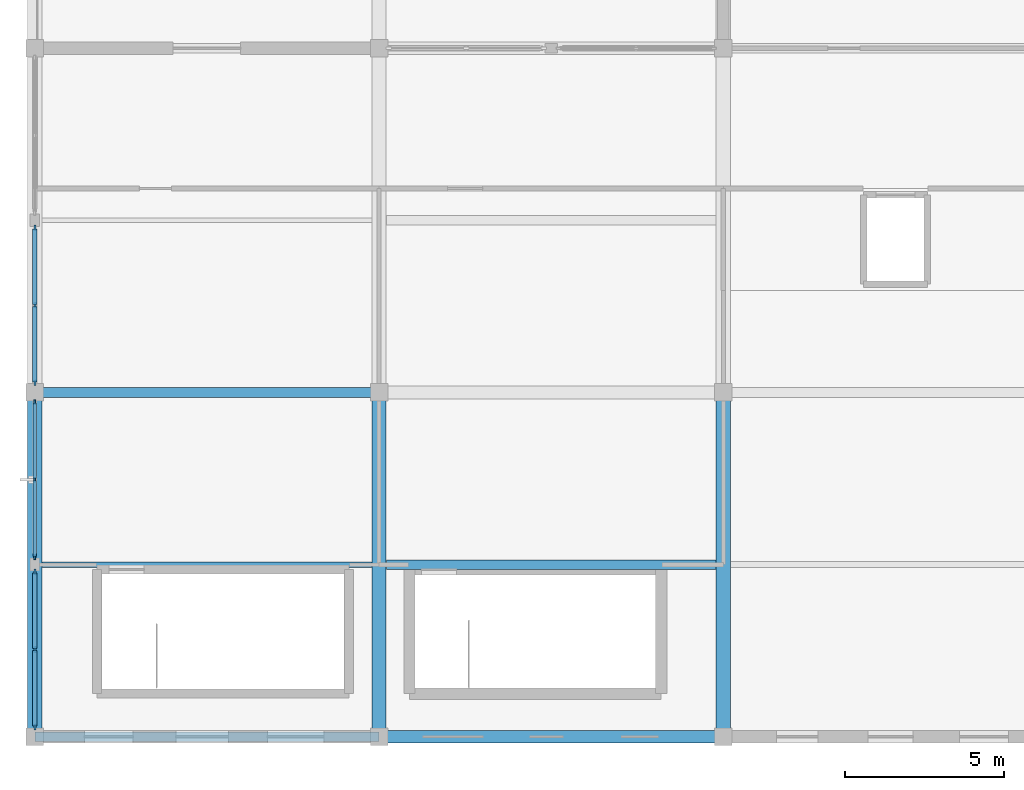
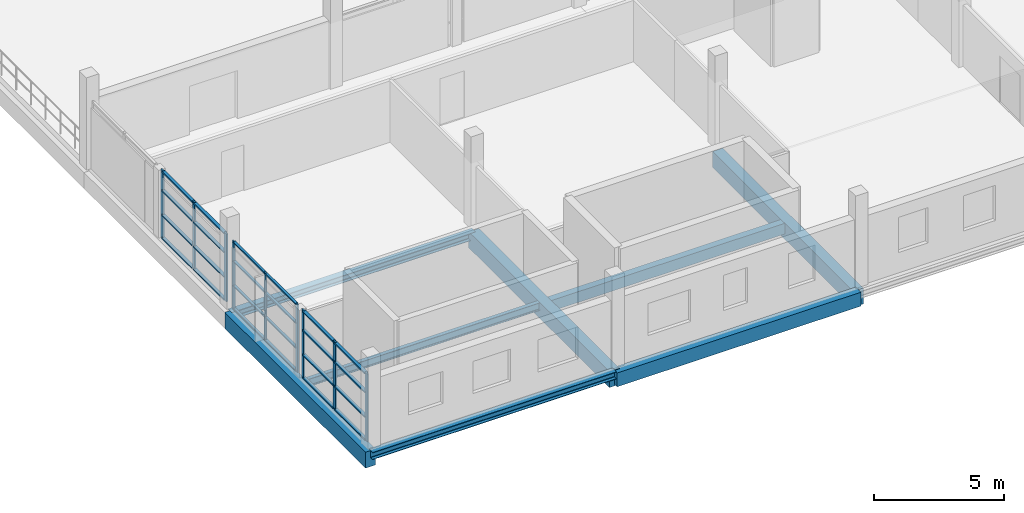
# One storey, part 2 of 15: 33 members, 8 beams, 3 elements without a shape of their own.
"""IFC4 building model written with IfcOpenShell, lengths in metres."""

from ifc_helpers import new_model, si_unit, direction, frame, origin, origin_2d, place, context, subcontext, project, spatial, rectangle, i_section, extrude, material, material_profile, profile_set, type_object, element, aggregate, save


model = new_model("IFC4")

# Units and contexts
model_context = context("Model", 3, precision=1e-05, world=origin(), true_north=direction((0.0, 1.0)))
body_context = subcontext(model_context, "Body", "Model", "MODEL_VIEW")
ifc_project = project(units=[si_unit("LENGTHUNIT", "METRE"), si_unit("AREAUNIT", "SQUARE_METRE"), si_unit("VOLUMEUNIT", "CUBIC_METRE"), si_unit("PLANEANGLEUNIT", "RADIAN"), si_unit("MASSUNIT", "GRAM", prefix="KILO")], contexts=[model_context])

# Site, building, storey
site_placement = place(None, origin())
site = spatial("IfcSite", under=ifc_project, at=site_placement, CompositionType="ELEMENT")
building_placement = place(site_placement, origin())
building = spatial("IfcBuilding", under=site, at=building_placement, Name="Zwinboog Wholesale Market", CompositionType="ELEMENT")
storey_placement = place(building_placement, frame((0.0, 0.0, 14.760009765625)))
storey = spatial("IfcBuildingStorey", under=building, at=storey_placement, Name="L03", CompositionType="ELEMENT", Elevation=14.760009765625)

# Beams
ifc_material_1 = material(Name="Precast concrete C45/55", Category="concrete")
ifc_material_profile_1 = material_profile(ifc_material_1, rectangle(XDim=0.449951171875, YDim=0.75, at=origin_2d()), Name="PC 450x750")
ifc_profile_set_1 = profile_set([ifc_material_profile_1], Name="Precast concrete C45/55")
beam_type_1 = type_object("IfcBeamType", Name="BT-04", PredefinedType="BEAM", material=ifc_profile_set_1)
for number, where, z_axis, x_axis, name in (
    (1, (129.60009765625, 0.0, -0.6669921875), (0.0, 1.0, 0.0), (-1.0, 0.0, 0.0), "BG-04 (BMG-L03-1296-0000-1025)"),
    (2, (140.39990234375, 0.0, -0.6669921875), (0.0, 1.0, 0.0), (-1.0, 0.0, 0.0), "BG-04 (BMG-L03-1404-0000-1027)"),
    (3, (151.199951171875, 0.0, -0.693115234375), (0.0, 1.0, 0.0), (-1.0, 0.0, 0.0), "BG-04 (BMG-L03-1512-0000-1029)"),
):
    element("IfcBeam", number, at=place(storey_placement, frame(where, z_axis=z_axis, x_axis=x_axis)), inside=storey, type_object=beam_type_1, Name=name, PredefinedType="BEAM", context=body_context, shape_type="SweptSolid", body=[
        extrude(rectangle(XDim=0.449951171875, YDim=0.75, at=origin_2d()), origin(), (0.0, 0.0, 1.0), 10.800048828125),
    ])
ifc_material_profile_2 = material_profile(ifc_material_1, rectangle(XDim=0.39990234375, YDim=0.64990234375, at=origin_2d()), Name="PC 400x650")
ifc_profile_set_2 = profile_set([ifc_material_profile_2], Name="Precast concrete C45/55")
beam_type_2 = type_object("IfcBeamType", Name="BT-05", PredefinedType="BEAM", material=ifc_profile_set_2)
beam_1_placement = place(storey_placement, frame((140.39990234375, 0.0, -0.64306640625), z_axis=(1.0, 0.0, 0.0), x_axis=(0.0, 1.0, 0.0)))
element("IfcBeam", 4, at=beam_1_placement, inside=storey, type_object=beam_type_2, Name="BG-05 (BMG-L03-1404-0000-1010)", PredefinedType="BEAM", context=body_context, shape_type="SweptSolid", body=[
    extrude(rectangle(XDim=0.39990234375, YDim=0.64990234375, at=origin_2d()), origin(), (0.0, 0.0, 1.0), 10.800048828125),
])
ifc_material_profile_3 = material_profile(ifc_material_1, rectangle(XDim=0.300048828125, YDim=0.5, at=origin_2d()), Name="PC 300x500")
ifc_profile_set_3 = profile_set([ifc_material_profile_3], Name="Precast concrete C45/55")
beam_type_3 = type_object("IfcBeamType", Name="BT-10", PredefinedType="JOIST", material=ifc_profile_set_3)
beam_2_placement = place(storey_placement, frame((140.625, 5.39990234375, -0.568115234375), z_axis=(1.0, 0.0, 0.0), x_axis=(0.0, 1.0, 0.0)))
element("IfcBeam", 5, at=beam_2_placement, inside=storey, type_object=beam_type_3, Name="BJ-01 (BMG-L03-1406-0054-1043)", PredefinedType="JOIST", context=body_context, shape_type="SweptSolid", body=[
    extrude(rectangle(XDim=0.300048828125, YDim=0.5, at=origin_2d()), origin(), (0.0, 0.0, 1.0), 10.35009765625),
])
ifc_material_2 = material(Name="Steel S355", Category="steel")
ifc_material_profile_4 = material_profile(ifc_material_2, i_section(OverallWidth=0.300048828125, OverallDepth=0.340087890625, WebThickness=0.011962890625, FlangeThickness=0.021484375, FilletRadius=0.027099609375, at=origin_2d()), Name="HEB 340")
ifc_profile_set_4 = profile_set([ifc_material_profile_4], Name="Steel S355")
beam_type_4 = type_object("IfcBeamType", Name="BT-16", PredefinedType="BEAM", material=ifc_profile_set_4)
for number, where, z_axis, x_axis, name in (
    (6, (129.60009765625, 0.0, -0.4619140625), (1.0, 0.0, 0.0), (0.0, 1.0, 0.0), "SB-03 (BMG-L03-1296-0000-1009)"),
    (7, (129.60009765625, 10.800048828125, -0.4619140625), (1.0, 0.0, 0.0), (0.0, 1.0, 0.0), "SB-03 (BMG-L03-1296-0108-1013)"),
):
    element("IfcBeam", number, at=place(storey_placement, frame(where, z_axis=z_axis, x_axis=x_axis)), inside=storey, type_object=beam_type_4, Name=name, PredefinedType="BEAM", context=body_context, shape_type="SweptSolid", body=[
        extrude(i_section(OverallWidth=0.300048828125, OverallDepth=0.340087890625, WebThickness=0.011962890625, FlangeThickness=0.021484375, FilletRadius=0.027099609375, at=origin_2d()), origin(), (0.0, 0.0, 1.0), 10.7998046875),
    ])
ifc_material_profile_5 = material_profile(ifc_material_2, i_section(OverallWidth=0.169921875, OverallDepth=0.360107421875, WebThickness=0.008056640625, FlangeThickness=0.0126953125, FilletRadius=0.01806640625, at=origin_2d()), Name="IPE 360")
ifc_profile_set_5 = profile_set([ifc_material_profile_5], Name="Steel S355")
beam_type_5 = type_object("IfcBeamType", Name="BT-20", PredefinedType="JOIST", material=ifc_profile_set_5)
beam_3_placement = place(storey_placement, frame((129.824951171875, 5.39990234375, -0.471923828125), z_axis=(1.0, 0.0, 0.0), x_axis=(0.0, 1.0, 0.0)))
element("IfcBeam", 8, at=beam_3_placement, inside=storey, type_object=beam_type_5, Name="SJ-03 (BMG-L03-1298-0054-1041)", PredefinedType="JOIST", context=body_context, shape_type="SweptSolid", body=[
    extrude(i_section(OverallWidth=0.169921875, OverallDepth=0.360107421875, WebThickness=0.008056640625, FlangeThickness=0.0126953125, FilletRadius=0.01806640625, at=origin_2d()), origin(), (0.0, 0.0, 1.0), 10.35009765625),
])

# Curtain wall, members
ifc_material_3 = material(Name="Aluminium thermally broken curtain wall", Category="aluminium")
curtain_wall_type_1 = type_object("IfcCurtainWallType", Name="CWT-CAFE-22", PredefinedType="USERDEFINED", material=ifc_material_3)
curtain_wall_1_placement = place(storey_placement, origin())
curtain_wall_1 = element("IfcCurtainWall", 9, at=curtain_wall_1_placement, inside=storey, type_object=curtain_wall_type_1, Name="CW-05 (CW-L03-167)", ObjectType="STOREFRONT_GLAZING", PredefinedType="USERDEFINED")
ifc_material_4 = material(Name="Aluminium EN AW-6060", Category="aluminium")
ifc_material_profile_6 = material_profile(ifc_material_4, rectangle(XDim=0.06494140625, YDim=0.179931640625, at=origin_2d()), Name="AL 65x180")
ifc_profile_set_6 = profile_set([ifc_material_profile_6], Name="Aluminium EN AW-6060")
member_type_1 = type_object("IfcMemberType", Name="CWM-65x180", PredefinedType="MULLION", material=ifc_profile_set_6)
member_1_placement = place(storey_placement, frame((129.60009765625, 0.302490234375, 0.0), z_axis=(0.0, 0.0, 1.0), x_axis=(-1.0, 0.0, 0.0)))
member_1 = element("IfcMember", 10, at=member_1_placement, type_object=member_type_1, Name="CW-05 mullion 1", PredefinedType="MULLION", context=body_context, shape_type="SweptSolid", body=[
    extrude(rectangle(XDim=0.06494140625, YDim=0.179931640625, at=origin_2d()), origin(), (0.0, 0.0, 1.0), 3.169921875),
])
member_2_placement = place(storey_placement, frame((129.60009765625, 2.735107421875, 0.0), z_axis=(0.0, 0.0, 1.0), x_axis=(-1.0, 0.0, 0.0)))
member_2 = element("IfcMember", 11, at=member_2_placement, type_object=member_type_1, Name="CW-05 mullion 2", PredefinedType="MULLION", context=body_context, shape_type="SweptSolid", body=[
    extrude(rectangle(XDim=0.06494140625, YDim=0.179931640625, at=origin_2d()), origin(), (0.0, 0.0, 1.0), 3.169921875),
])
member_3_placement = place(storey_placement, frame((129.60009765625, 5.16748046875, 0.0), z_axis=(0.0, 0.0, 1.0), x_axis=(-1.0, 0.0, 0.0)))
member_3 = element("IfcMember", 12, at=member_3_placement, type_object=member_type_1, Name="CW-05 mullion 3", PredefinedType="MULLION", context=body_context, shape_type="SweptSolid", body=[
    extrude(rectangle(XDim=0.06494140625, YDim=0.179931640625, at=origin_2d()), origin(), (0.0, 0.0, 1.0), 3.169921875),
])

curtain_wall_type_2 = type_object("IfcCurtainWallType", Name="CWT-STALL-18", PredefinedType="USERDEFINED", material=ifc_material_3)
curtain_wall_2_placement = place(storey_placement, origin())
curtain_wall_2 = element("IfcCurtainWall", 13, at=curtain_wall_2_placement, inside=storey, type_object=curtain_wall_type_2, Name="CW-01 (CW-L03-169)", ObjectType="STOREFRONT_GLAZING", PredefinedType="USERDEFINED")
member_4_placement = place(storey_placement, frame((129.60009765625, 11.1025390625, 0.0), z_axis=(0.0, 0.0, 1.0), x_axis=(-1.0, 0.0, 0.0)))
member_4 = element("IfcMember", 14, at=member_4_placement, type_object=member_type_1, Name="CW-01 mullion 1", PredefinedType="MULLION", context=body_context, shape_type="SweptSolid", body=[
    extrude(rectangle(XDim=0.06494140625, YDim=0.179931640625, at=origin_2d()), origin(), (0.0, 0.0, 1.0), 3.169921875),
])
member_5_placement = place(storey_placement, frame((129.60009765625, 13.534912109375, 0.0), z_axis=(0.0, 0.0, 1.0), x_axis=(-1.0, 0.0, 0.0)))
member_5 = element("IfcMember", 15, at=member_5_placement, type_object=member_type_1, Name="CW-01 mullion 2", PredefinedType="MULLION", context=body_context, shape_type="SweptSolid", body=[
    extrude(rectangle(XDim=0.06494140625, YDim=0.179931640625, at=origin_2d()), origin(), (0.0, 0.0, 1.0), 3.169921875),
])
member_6_placement = place(storey_placement, frame((129.60009765625, 15.967529296875, 0.0), z_axis=(0.0, 0.0, 1.0), x_axis=(-1.0, 0.0, 0.0)))
member_6 = element("IfcMember", 16, at=member_6_placement, type_object=member_type_1, Name="CW-01 mullion 3", PredefinedType="MULLION", context=body_context, shape_type="SweptSolid", body=[
    extrude(rectangle(XDim=0.06494140625, YDim=0.179931640625, at=origin_2d()), origin(), (0.0, 0.0, 1.0), 3.169921875),
])

curtain_wall_type_3 = type_object("IfcCurtainWallType", Name="CWT-OFF-15", PredefinedType="USERDEFINED", material=ifc_material_3)
curtain_wall_3_placement = place(storey_placement, origin())
curtain_wall_3 = element("IfcCurtainWall", 17, at=curtain_wall_3_placement, inside=storey, type_object=curtain_wall_type_3, Name="CW-06 (CW-L03-168)", ObjectType="UNITIZED_CURTAIN_WALL", PredefinedType="USERDEFINED")
ifc_material_profile_7 = material_profile(ifc_material_4, rectangle(XDim=0.06005859375, YDim=0.14990234375, at=origin_2d()), Name="AL 60x150")
ifc_profile_set_7 = profile_set([ifc_material_profile_7], Name="Aluminium EN AW-6060")
member_type_2 = type_object("IfcMemberType", Name="CWM-60x150", PredefinedType="MULLION", material=ifc_profile_set_7)
member_7_placement = place(storey_placement, frame((129.60009765625, 5.6298828125, 0.0), z_axis=(0.0, 0.0, 1.0), x_axis=(-1.0, 0.0, 0.0)))
member_7 = element("IfcMember", 18, at=member_7_placement, type_object=member_type_2, Name="CW-06 mullion 1", PredefinedType="MULLION", context=body_context, shape_type="SweptSolid", body=[
    extrude(rectangle(XDim=0.06005859375, YDim=0.14990234375, at=origin_2d()), origin(), (0.0, 0.0, 1.0), 3.169921875),
])
member_8_placement = place(storey_placement, frame((129.60009765625, 8.06494140625, 0.0), z_axis=(0.0, 0.0, 1.0), x_axis=(-1.0, 0.0, 0.0)))
member_8 = element("IfcMember", 19, at=member_8_placement, type_object=member_type_2, Name="CW-06 mullion 2", PredefinedType="MULLION", context=body_context, shape_type="SweptSolid", body=[
    extrude(rectangle(XDim=0.06005859375, YDim=0.14990234375, at=origin_2d()), origin(), (0.0, 0.0, 1.0), 3.169921875),
])
member_9_placement = place(storey_placement, frame((129.60009765625, 10.5, 0.0), z_axis=(0.0, 0.0, 1.0), x_axis=(-1.0, 0.0, 0.0)))
member_9 = element("IfcMember", 20, at=member_9_placement, type_object=member_type_2, Name="CW-06 mullion 3", PredefinedType="MULLION", context=body_context, shape_type="SweptSolid", body=[
    extrude(rectangle(XDim=0.06005859375, YDim=0.14990234375, at=origin_2d()), origin(), (0.0, 0.0, 1.0), 3.169921875),
])

# Member
ifc_material_profile_8 = material_profile(ifc_material_4, rectangle(XDim=0.139892578125, YDim=0.06494140625, at=origin_2d()), Name="AL 65x140")
ifc_profile_set_8 = profile_set([ifc_material_profile_8], Name="Aluminium EN AW-6060")
member_type_3 = type_object("IfcMemberType", Name="CWT-65x140", PredefinedType="USERDEFINED", material=ifc_profile_set_8)
member_10_placement = place(storey_placement, frame((129.60009765625, 0.3349609375, 0.032470703125), z_axis=(0.0, 1.0, 0.0), x_axis=(-1.0, 0.0, 0.0)))
member_10 = element("IfcMember", 21, at=member_10_placement, type_object=member_type_3, Name="CW-05 transom 1.1", ObjectType="TRANSOM", PredefinedType="USERDEFINED", context=body_context, shape_type="SweptSolid", body=[
    extrude(rectangle(XDim=0.139892578125, YDim=0.06494140625, at=origin_2d()), origin(), (0.0, 0.0, 1.0), 2.367431640625),
])

member_11_placement = place(storey_placement, frame((129.60009765625, 0.3349609375, 1.10009765625), z_axis=(0.0, 1.0, 0.0), x_axis=(-1.0, 0.0, 0.0)))
member_11 = element("IfcMember", 22, at=member_11_placement, type_object=member_type_3, Name="CW-05 transom 1.2", ObjectType="TRANSOM", PredefinedType="USERDEFINED", context=body_context, shape_type="SweptSolid", body=[
    extrude(rectangle(XDim=0.139892578125, YDim=0.06494140625, at=origin_2d()), origin(), (0.0, 0.0, 1.0), 2.367431640625),
])

member_12_placement = place(storey_placement, frame((129.60009765625, 0.3349609375, 2.25), z_axis=(0.0, 1.0, 0.0), x_axis=(-1.0, 0.0, 0.0)))
member_12 = element("IfcMember", 23, at=member_12_placement, type_object=member_type_3, Name="CW-05 transom 1.3", ObjectType="TRANSOM", PredefinedType="USERDEFINED", context=body_context, shape_type="SweptSolid", body=[
    extrude(rectangle(XDim=0.139892578125, YDim=0.06494140625, at=origin_2d()), origin(), (0.0, 0.0, 1.0), 2.367431640625),
])

member_13_placement = place(storey_placement, frame((129.60009765625, 0.3349609375, 3.137451171875), z_axis=(0.0, 1.0, 0.0), x_axis=(-1.0, 0.0, 0.0)))
member_13 = element("IfcMember", 24, at=member_13_placement, type_object=member_type_3, Name="CW-05 transom 1.4", ObjectType="TRANSOM", PredefinedType="USERDEFINED", context=body_context, shape_type="SweptSolid", body=[
    extrude(rectangle(XDim=0.139892578125, YDim=0.06494140625, at=origin_2d()), origin(), (0.0, 0.0, 1.0), 2.367431640625),
])

member_14_placement = place(storey_placement, frame((129.60009765625, 2.767578125, 0.032470703125), z_axis=(0.0, 1.0, 0.0), x_axis=(-1.0, 0.0, 0.0)))
member_14 = element("IfcMember", 25, at=member_14_placement, type_object=member_type_3, Name="CW-05 transom 2.1", ObjectType="TRANSOM", PredefinedType="USERDEFINED", context=body_context, shape_type="SweptSolid", body=[
    extrude(rectangle(XDim=0.139892578125, YDim=0.06494140625, at=origin_2d()), origin(), (0.0, 0.0, 1.0), 2.367431640625),
])

member_15_placement = place(storey_placement, frame((129.60009765625, 2.767578125, 1.10009765625), z_axis=(0.0, 1.0, 0.0), x_axis=(-1.0, 0.0, 0.0)))
member_15 = element("IfcMember", 26, at=member_15_placement, type_object=member_type_3, Name="CW-05 transom 2.2", ObjectType="TRANSOM", PredefinedType="USERDEFINED", context=body_context, shape_type="SweptSolid", body=[
    extrude(rectangle(XDim=0.139892578125, YDim=0.06494140625, at=origin_2d()), origin(), (0.0, 0.0, 1.0), 2.367431640625),
])

member_16_placement = place(storey_placement, frame((129.60009765625, 2.767578125, 2.25), z_axis=(0.0, 1.0, 0.0), x_axis=(-1.0, 0.0, 0.0)))
member_16 = element("IfcMember", 27, at=member_16_placement, type_object=member_type_3, Name="CW-05 transom 2.3", ObjectType="TRANSOM", PredefinedType="USERDEFINED", context=body_context, shape_type="SweptSolid", body=[
    extrude(rectangle(XDim=0.139892578125, YDim=0.06494140625, at=origin_2d()), origin(), (0.0, 0.0, 1.0), 2.367431640625),
])

member_17_placement = place(storey_placement, frame((129.60009765625, 2.767578125, 3.137451171875), z_axis=(0.0, 1.0, 0.0), x_axis=(-1.0, 0.0, 0.0)))
member_17 = element("IfcMember", 28, at=member_17_placement, type_object=member_type_3, Name="CW-05 transom 2.4", ObjectType="TRANSOM", PredefinedType="USERDEFINED", context=body_context, shape_type="SweptSolid", body=[
    extrude(rectangle(XDim=0.139892578125, YDim=0.06494140625, at=origin_2d()), origin(), (0.0, 0.0, 1.0), 2.367431640625),
])

aggregate(curtain_wall_1, [member_1, member_2, member_3, member_10, member_11, member_12, member_13, member_14, member_15, member_16, member_17])

member_18_placement = place(storey_placement, frame((129.60009765625, 11.135009765625, 0.032470703125), z_axis=(0.0, 1.0, 0.0), x_axis=(-1.0, 0.0, 0.0)))
member_18 = element("IfcMember", 29, at=member_18_placement, type_object=member_type_3, Name="CW-01 transom 1.1", ObjectType="TRANSOM", PredefinedType="USERDEFINED", context=body_context, shape_type="SweptSolid", body=[
    extrude(rectangle(XDim=0.139892578125, YDim=0.06494140625, at=origin_2d()), origin(), (0.0, 0.0, 1.0), 2.367431640625),
])

member_19_placement = place(storey_placement, frame((129.60009765625, 11.135009765625, 1.10009765625), z_axis=(0.0, 1.0, 0.0), x_axis=(-1.0, 0.0, 0.0)))
member_19 = element("IfcMember", 30, at=member_19_placement, type_object=member_type_3, Name="CW-01 transom 1.2", ObjectType="TRANSOM", PredefinedType="USERDEFINED", context=body_context, shape_type="SweptSolid", body=[
    extrude(rectangle(XDim=0.139892578125, YDim=0.06494140625, at=origin_2d()), origin(), (0.0, 0.0, 1.0), 2.367431640625),
])

member_20_placement = place(storey_placement, frame((129.60009765625, 11.135009765625, 2.25), z_axis=(0.0, 1.0, 0.0), x_axis=(-1.0, 0.0, 0.0)))
member_20 = element("IfcMember", 31, at=member_20_placement, type_object=member_type_3, Name="CW-01 transom 1.3", ObjectType="TRANSOM", PredefinedType="USERDEFINED", context=body_context, shape_type="SweptSolid", body=[
    extrude(rectangle(XDim=0.139892578125, YDim=0.06494140625, at=origin_2d()), origin(), (0.0, 0.0, 1.0), 2.367431640625),
])

member_21_placement = place(storey_placement, frame((129.60009765625, 11.135009765625, 3.137451171875), z_axis=(0.0, 1.0, 0.0), x_axis=(-1.0, 0.0, 0.0)))
member_21 = element("IfcMember", 32, at=member_21_placement, type_object=member_type_3, Name="CW-01 transom 1.4", ObjectType="TRANSOM", PredefinedType="USERDEFINED", context=body_context, shape_type="SweptSolid", body=[
    extrude(rectangle(XDim=0.139892578125, YDim=0.06494140625, at=origin_2d()), origin(), (0.0, 0.0, 1.0), 2.367431640625),
])

member_22_placement = place(storey_placement, frame((129.60009765625, 13.5673828125, 0.032470703125), z_axis=(0.0, 1.0, 0.0), x_axis=(-1.0, 0.0, 0.0)))
member_22 = element("IfcMember", 33, at=member_22_placement, type_object=member_type_3, Name="CW-01 transom 2.1", ObjectType="TRANSOM", PredefinedType="USERDEFINED", context=body_context, shape_type="SweptSolid", body=[
    extrude(rectangle(XDim=0.139892578125, YDim=0.06494140625, at=origin_2d()), origin(), (0.0, 0.0, 1.0), 2.36767578125),
])

member_23_placement = place(storey_placement, frame((129.60009765625, 13.5673828125, 1.10009765625), z_axis=(0.0, 1.0, 0.0), x_axis=(-1.0, 0.0, 0.0)))
member_23 = element("IfcMember", 34, at=member_23_placement, type_object=member_type_3, Name="CW-01 transom 2.2", ObjectType="TRANSOM", PredefinedType="USERDEFINED", context=body_context, shape_type="SweptSolid", body=[
    extrude(rectangle(XDim=0.139892578125, YDim=0.06494140625, at=origin_2d()), origin(), (0.0, 0.0, 1.0), 2.36767578125),
])

member_24_placement = place(storey_placement, frame((129.60009765625, 13.5673828125, 2.25), z_axis=(0.0, 1.0, 0.0), x_axis=(-1.0, 0.0, 0.0)))
member_24 = element("IfcMember", 35, at=member_24_placement, type_object=member_type_3, Name="CW-01 transom 2.3", ObjectType="TRANSOM", PredefinedType="USERDEFINED", context=body_context, shape_type="SweptSolid", body=[
    extrude(rectangle(XDim=0.139892578125, YDim=0.06494140625, at=origin_2d()), origin(), (0.0, 0.0, 1.0), 2.36767578125),
])

member_25_placement = place(storey_placement, frame((129.60009765625, 13.5673828125, 3.137451171875), z_axis=(0.0, 1.0, 0.0), x_axis=(-1.0, 0.0, 0.0)))
member_25 = element("IfcMember", 36, at=member_25_placement, type_object=member_type_3, Name="CW-01 transom 2.4", ObjectType="TRANSOM", PredefinedType="USERDEFINED", context=body_context, shape_type="SweptSolid", body=[
    extrude(rectangle(XDim=0.139892578125, YDim=0.06494140625, at=origin_2d()), origin(), (0.0, 0.0, 1.0), 2.36767578125),
])

aggregate(curtain_wall_2, [member_4, member_5, member_6, member_18, member_19, member_20, member_21, member_22, member_23, member_24, member_25])

ifc_material_profile_9 = material_profile(ifc_material_4, rectangle(XDim=0.110107421875, YDim=0.06005859375, at=origin_2d()), Name="AL 60x110")
ifc_profile_set_9 = profile_set([ifc_material_profile_9], Name="Aluminium EN AW-6060")
member_type_4 = type_object("IfcMemberType", Name="CWT-60x110", PredefinedType="USERDEFINED", material=ifc_profile_set_9)
member_26_placement = place(storey_placement, frame((129.60009765625, 5.659912109375, 0.030029296875), z_axis=(0.0, 1.0, 0.0), x_axis=(-1.0, 0.0, 0.0)))
member_26 = element("IfcMember", 37, at=member_26_placement, type_object=member_type_4, Name="CW-06 transom 1.1", ObjectType="TRANSOM", PredefinedType="USERDEFINED", context=body_context, shape_type="SweptSolid", body=[
    extrude(rectangle(XDim=0.110107421875, YDim=0.06005859375, at=origin_2d()), origin(), (0.0, 0.0, 1.0), 2.375),
])

member_27_placement = place(storey_placement, frame((129.60009765625, 5.659912109375, 1.10009765625), z_axis=(0.0, 1.0, 0.0), x_axis=(-1.0, 0.0, 0.0)))
member_27 = element("IfcMember", 38, at=member_27_placement, type_object=member_type_4, Name="CW-06 transom 1.2", ObjectType="TRANSOM", PredefinedType="USERDEFINED", context=body_context, shape_type="SweptSolid", body=[
    extrude(rectangle(XDim=0.110107421875, YDim=0.06005859375, at=origin_2d()), origin(), (0.0, 0.0, 1.0), 2.375),
])

member_28_placement = place(storey_placement, frame((129.60009765625, 5.659912109375, 2.25), z_axis=(0.0, 1.0, 0.0), x_axis=(-1.0, 0.0, 0.0)))
member_28 = element("IfcMember", 39, at=member_28_placement, type_object=member_type_4, Name="CW-06 transom 1.3", ObjectType="TRANSOM", PredefinedType="USERDEFINED", context=body_context, shape_type="SweptSolid", body=[
    extrude(rectangle(XDim=0.110107421875, YDim=0.06005859375, at=origin_2d()), origin(), (0.0, 0.0, 1.0), 2.375),
])

member_29_placement = place(storey_placement, frame((129.60009765625, 5.659912109375, 3.139892578125), z_axis=(0.0, 1.0, 0.0), x_axis=(-1.0, 0.0, 0.0)))
member_29 = element("IfcMember", 40, at=member_29_placement, type_object=member_type_4, Name="CW-06 transom 1.4", ObjectType="TRANSOM", PredefinedType="USERDEFINED", context=body_context, shape_type="SweptSolid", body=[
    extrude(rectangle(XDim=0.110107421875, YDim=0.06005859375, at=origin_2d()), origin(), (0.0, 0.0, 1.0), 2.375),
])

member_30_placement = place(storey_placement, frame((129.60009765625, 8.094970703125, 0.030029296875), z_axis=(0.0, 1.0, 0.0), x_axis=(-1.0, 0.0, 0.0)))
member_30 = element("IfcMember", 41, at=member_30_placement, type_object=member_type_4, Name="CW-06 transom 2.1", ObjectType="TRANSOM", PredefinedType="USERDEFINED", context=body_context, shape_type="SweptSolid", body=[
    extrude(rectangle(XDim=0.110107421875, YDim=0.06005859375, at=origin_2d()), origin(), (0.0, 0.0, 1.0), 2.375),
])

member_31_placement = place(storey_placement, frame((129.60009765625, 8.094970703125, 1.10009765625), z_axis=(0.0, 1.0, 0.0), x_axis=(-1.0, 0.0, 0.0)))
member_31 = element("IfcMember", 42, at=member_31_placement, type_object=member_type_4, Name="CW-06 transom 2.2", ObjectType="TRANSOM", PredefinedType="USERDEFINED", context=body_context, shape_type="SweptSolid", body=[
    extrude(rectangle(XDim=0.110107421875, YDim=0.06005859375, at=origin_2d()), origin(), (0.0, 0.0, 1.0), 2.375),
])

member_32_placement = place(storey_placement, frame((129.60009765625, 8.094970703125, 2.25), z_axis=(0.0, 1.0, 0.0), x_axis=(-1.0, 0.0, 0.0)))
member_32 = element("IfcMember", 43, at=member_32_placement, type_object=member_type_4, Name="CW-06 transom 2.3", ObjectType="TRANSOM", PredefinedType="USERDEFINED", context=body_context, shape_type="SweptSolid", body=[
    extrude(rectangle(XDim=0.110107421875, YDim=0.06005859375, at=origin_2d()), origin(), (0.0, 0.0, 1.0), 2.375),
])

member_33_placement = place(storey_placement, frame((129.60009765625, 8.094970703125, 3.139892578125), z_axis=(0.0, 1.0, 0.0), x_axis=(-1.0, 0.0, 0.0)))
member_33 = element("IfcMember", 44, at=member_33_placement, type_object=member_type_4, Name="CW-06 transom 2.4", ObjectType="TRANSOM", PredefinedType="USERDEFINED", context=body_context, shape_type="SweptSolid", body=[
    extrude(rectangle(XDim=0.110107421875, YDim=0.06005859375, at=origin_2d()), origin(), (0.0, 0.0, 1.0), 2.375),
])

aggregate(curtain_wall_3, [member_7, member_8, member_9, member_26, member_27, member_28, member_29, member_30, member_31, member_32, member_33])

save(model, "model.ifc")
